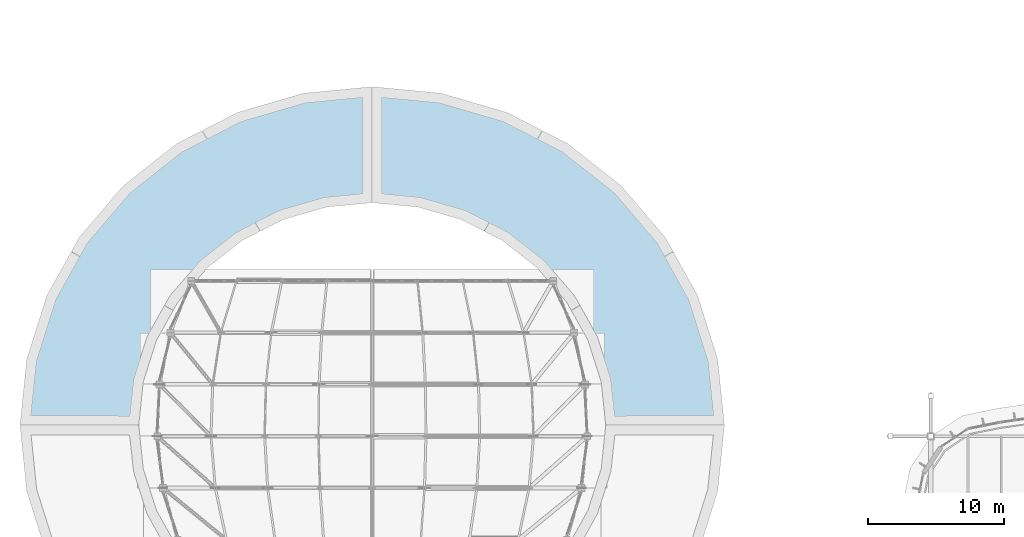
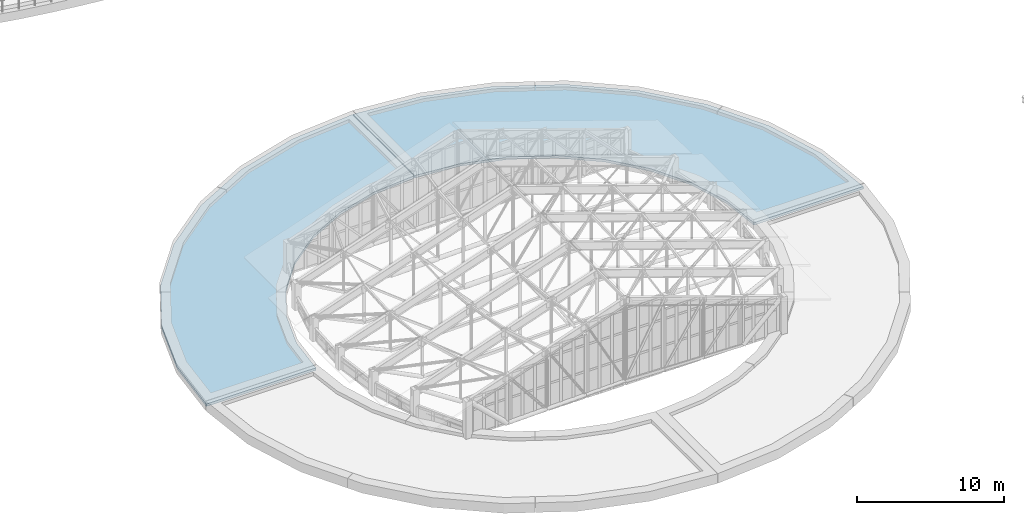
# One storey, part 62 of 105: 2 slabs.
"""IFC4 building model written with IfcOpenShell, lengths in metres."""

from ifc_helpers import new_model, si_unit, direction, frame, origin, place, context, subcontext, project, spatial, polyline, outline, extrude, material, layer, layer_set, type_object, element, save


model = new_model("IFC4")

# Units and contexts
model_context = context("Model", 3, precision=1e-05, world=origin(), true_north=direction((0.0, 1.0)))
body_context = subcontext(model_context, "Body", "Model", "MODEL_VIEW")
ifc_project = project(units=[si_unit("LENGTHUNIT", "METRE"), si_unit("AREAUNIT", "SQUARE_METRE"), si_unit("VOLUMEUNIT", "CUBIC_METRE"), si_unit("PLANEANGLEUNIT", "RADIAN"), si_unit("MASSUNIT", "GRAM", prefix="KILO")], contexts=[model_context])

# Site, building, storey
site_placement = place(None, origin())
site = spatial("IfcSite", under=ifc_project, at=site_placement, CompositionType="ELEMENT")
building_placement = place(site_placement, origin())
building = spatial("IfcBuilding", under=site, at=building_placement, Name="Corveleigh Park Community Centre", CompositionType="ELEMENT")
storey_placement = place(building_placement, frame((0.0, 0.0, 8.699951171875)))
storey = spatial("IfcBuildingStorey", under=building, at=storey_placement, Name="L02", CompositionType="ELEMENT", Elevation=8.699951171875)

# Slabs
ifc_material = material(Name="Concrete C32/40", Category="concrete")
ifc_layer = layer(ifc_material, 0.205078125, Name="Concrete C32/40", Category="concrete")
ifc_layer_set = layer_set([ifc_layer], Name="Concrete C32/40")
slab_type = type_object("IfcSlabType", Name="SLB-CAN-205", PredefinedType="ROOF", material=ifc_layer_set)
slab_1_placement = place(storey_placement, frame((0.0, 0.0, -0.204833984375)))
element("IfcSlab", 1, at=slab_1_placement, inside=storey, type_object=slab_type, Name="Main Hall Curved Overhang Band 1", PredefinedType="ROOF", context=body_context, shape_type="SweptSolid", body=[
    extrude(outline(polyline([(48.199951171875, 27.6201171875), (47.8701171875, 30.799072265625), (46.89111328125, 33.8759765625), (45.301025390625, 36.7109375), (43.162109375, 39.197021484375), (40.555908203125, 41.236083984375), (37.58203125, 42.751953125), (34.35595703125, 43.68505859375), (31.02099609375, 44.0), (31.031005859375, 52.39990234375), (36.032958984375, 51.923095703125), (40.873046875, 50.511962890625), (45.333984375, 48.219970703125), (49.242919921875, 45.135986328125), (52.451904296875, 41.3779296875), (54.8359375, 37.091064453125), (56.303955078125, 32.43798828125), (56.800048828125, 27.6298828125), (48.199951171875, 27.6201171875)])), origin(), (0.0, 0.0, 1.0), 0.204833984375),
])
slab_2_placement = place(storey_placement, frame((0.0, 0.0, -0.204833984375)))
element("IfcSlab", 2, at=slab_2_placement, inside=storey, type_object=slab_type, Name="Main Hall Curved Overhang Band 2", PredefinedType="ROOF", context=body_context, shape_type="SweptSolid", body=[
    extrude(outline(polyline([(30.97900390625, 44.0), (27.64404296875, 43.68505859375), (24.41796875, 42.751953125), (21.444091796875, 41.236083984375), (18.837890625, 39.197021484375), (16.698974609375, 36.7109375), (15.10888671875, 33.8759765625), (14.1298828125, 30.799072265625), (13.800048828125, 27.6201171875), (5.199951171875, 27.6298828125), (5.696044921875, 32.43798828125), (7.1640625, 37.091064453125), (9.548095703125, 41.3779296875), (12.757080078125, 45.135986328125), (16.666015625, 48.219970703125), (21.126953125, 50.511962890625), (25.967041015625, 51.923095703125), (30.968994140625, 52.39990234375), (30.97900390625, 44.0)])), origin(), (0.0, 0.0, 1.0), 0.204833984375),
])

save(model, "model.ifc")
